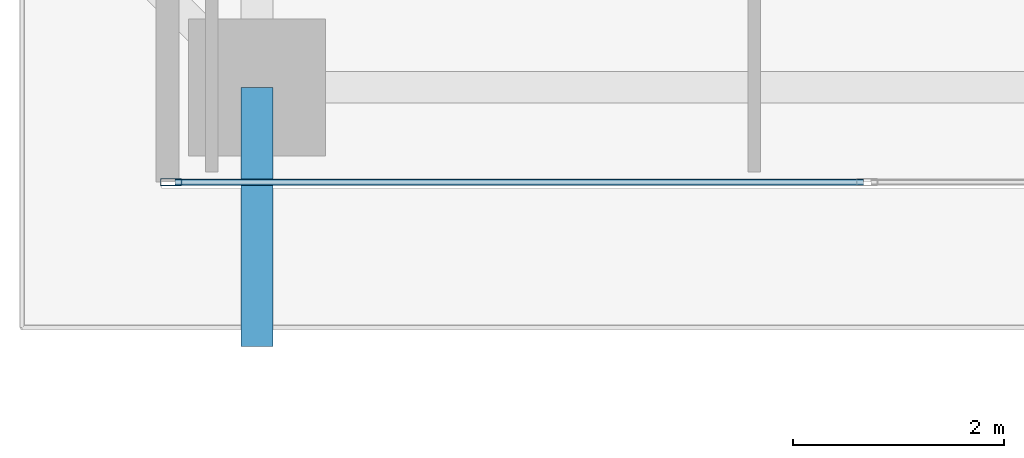
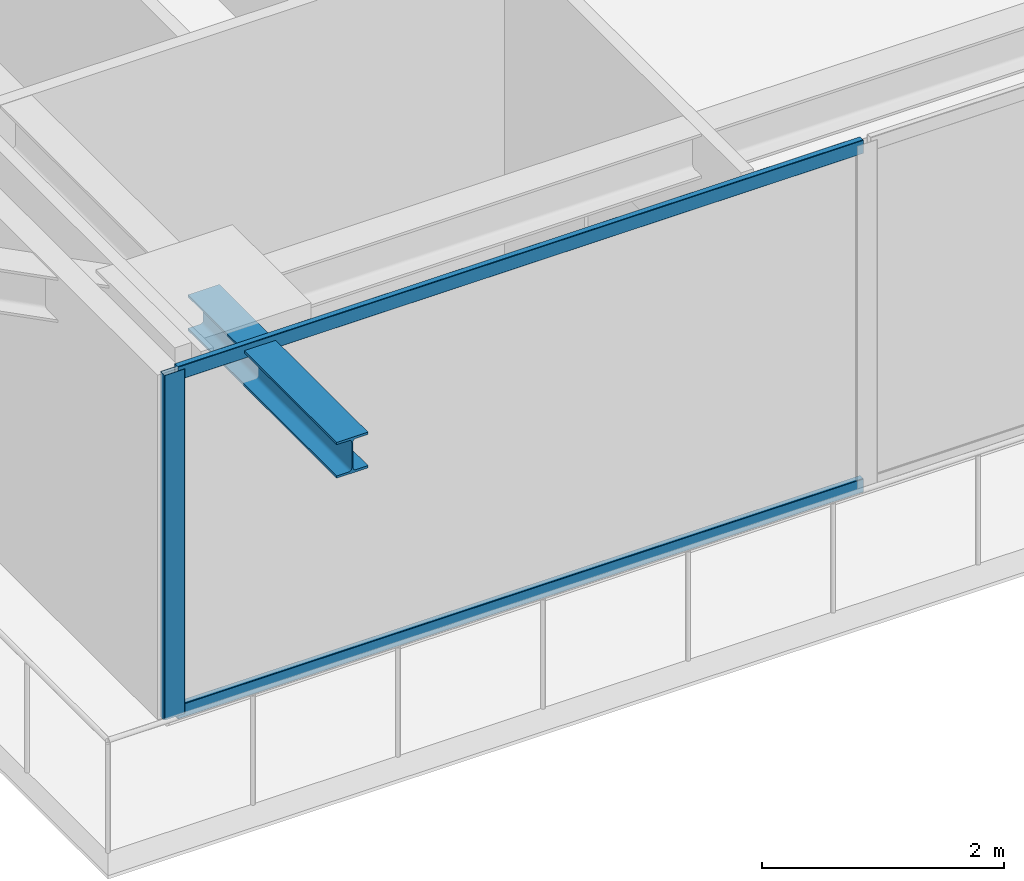
# One storey, part 2 of 39: 3 members, 1 beam, 1 element without a shape of its own.
"""IFC4 building model written with IfcOpenShell, lengths in metres."""

from ifc_helpers import new_model, si_unit, direction, frame, origin, origin_2d, place, context, subcontext, project, spatial, hollow_rectangle, i_section, extrude, source, transform, mapped, material, layer, layer_set, material_profile, profile_set, type_object, element, aggregate, save


model = new_model("IFC4")

# Units and contexts
model_context = context("Model", 3, precision=1e-05, world=origin(), true_north=direction((0.0, 1.0)))
body_context = subcontext(model_context, "Body", "Model", "MODEL_VIEW")
ifc_project = project(units=[si_unit("LENGTHUNIT", "METRE"), si_unit("AREAUNIT", "SQUARE_METRE"), si_unit("VOLUMEUNIT", "CUBIC_METRE"), si_unit("PLANEANGLEUNIT", "RADIAN"), si_unit("MASSUNIT", "GRAM", prefix="KILO")], contexts=[model_context])

# Site, building, storey
site_placement = place(None, origin())
site = spatial("IfcSite", under=ifc_project, at=site_placement, CompositionType="ELEMENT")
building_placement = place(site_placement, origin())
building = spatial("IfcBuilding", under=site, at=building_placement, Name="Serunith Strait Residences", CompositionType="ELEMENT")
storey_placement = place(building_placement, frame((0.0, 0.0, 168.89990234375)))
storey = spatial("IfcBuildingStorey", under=building, at=storey_placement, Name="L42", CompositionType="ELEMENT", Elevation=168.89990234375)

# Beam
ifc_material_1 = material(Name="Steel S355J2", Category="steel")
ifc_material_profile_1 = material_profile(ifc_material_1, i_section(OverallWidth=0.300048828125, OverallDepth=0.360107421875, WebThickness=0.012451171875, FlangeThickness=0.0224609375, FilletRadius=0.027099609375, at=origin_2d()), Name="HEB 360")
ifc_profile_set_1 = profile_set([ifc_material_profile_1], Name="Steel S355J2")
beam_type = type_object("IfcBeamType", Name="BM-HEB360", PredefinedType="BEAM", material=ifc_profile_set_1)
shared_shape_1 = source(origin(), body_context, "Body", "SweptSolid", [
    extrude(i_section(OverallWidth=0.300048828125, OverallDepth=0.360107421875, WebThickness=0.012451171875, FlangeThickness=0.0224609375, FilletRadius=0.027099609375, at=origin_2d()), origin(), (0.0, 0.0, 1.0), 2.45703125),
])
beam_placement = place(storey_placement, frame((16.64990234375, 2.300048828125, 3.277099609375), z_axis=(0.0, -1.0, 0.0), x_axis=(1.0, 0.0, 0.0)))
element("IfcBeam", 1, at=beam_placement, inside=storey, type_object=beam_type, Name="L43 Cantilevered Balcony Rib TC-S1", PredefinedType="BEAM", context=body_context, shape_type="MappedRepresentation", body=[
    mapped(shared_shape_1, transform((0.0, 0.0, 0.0), scale=1.0)),
])

# Curtain wall, members
ifc_material_2 = material(Name="Pale-Champagne Anodised Aluminium", Category="aluminium")
ifc_layer = layer(ifc_material_2, 0.199951171875, Name="Pale-Champagne Anodised Aluminium")
ifc_layer_set = layer_set([ifc_layer], Name="Pale-Champagne Anodised Aluminium")
curtain_wall_type = type_object("IfcCurtainWallType", Name="CW-SYS2", PredefinedType="NOTDEFINED", material=ifc_layer_set)
curtain_wall_placement = place(storey_placement, origin())
curtain_wall = element("IfcCurtainWall", 2, at=curtain_wall_placement, inside=storey, type_object=curtain_wall_type, Name="L42 S Unitised Fritted Curtain Wall", PredefinedType="NOTDEFINED")
ifc_material_profile_2 = material_profile(ifc_material_2, hollow_rectangle(XDim=0.070068359375, YDim=0.199951171875, WallThickness=0.00390625, InnerFilletRadius=0.006103515625, OuterFilletRadius=0.010009765625, at=origin_2d()), Name="ALU 200x70x4")
ifc_profile_set_2 = profile_set([ifc_material_profile_2], Name="Pale-Champagne Anodised Aluminium")
member_type_1 = type_object("IfcMemberType", Name="CW-SYS2-MULL", PredefinedType="MULLION", material=ifc_profile_set_2)
shared_shape_2 = source(origin(), body_context, "Body", "SweptSolid", [
    extrude(hollow_rectangle(XDim=0.070068359375, YDim=0.199951171875, WallThickness=0.00390625, InnerFilletRadius=0.006103515625, OuterFilletRadius=0.010009765625, at=origin_2d()), origin(), (0.0, 0.0, 1.0), 3.47509765625),
])
member_1_placement = place(storey_placement, frame((15.8349609375, 1.39990234375, 0.0), z_axis=(0.0, 0.0, 1.0), x_axis=(0.0, 1.0, 0.0)))
member_1 = element("IfcMember", 3, at=member_1_placement, type_object=member_type_1, Name="CW-2 mullion 1", PredefinedType="MULLION", context=body_context, shape_type="MappedRepresentation", body=[
    mapped(shared_shape_2, transform((0.0, 0.0, 0.0), scale=1.0)),
])
ifc_material_profile_3 = material_profile(ifc_material_2, hollow_rectangle(XDim=0.06005859375, YDim=0.139892578125, WallThickness=0.00341796875, InnerFilletRadius=0.00537109375, OuterFilletRadius=0.0087890625, at=origin_2d()), Name="ALU 140x60x3.5")
ifc_profile_set_3 = profile_set([ifc_material_profile_3], Name="Pale-Champagne Anodised Aluminium")
member_type_2 = type_object("IfcMemberType", Name="CW-SYS2-TRAN", PredefinedType="USERDEFINED", material=ifc_profile_set_3)
shared_shape_3 = source(origin(), body_context, "Body", "SweptSolid", [
    extrude(hollow_rectangle(XDim=0.06005859375, YDim=0.139892578125, WallThickness=0.00341796875, InnerFilletRadius=0.00537109375, OuterFilletRadius=0.0087890625, at=origin_2d()), origin(), (0.0, 0.0, 1.0), 6.534912109375),
])
member_2_placement = place(storey_placement, frame((15.8701171875, 1.39990234375, 0.030029296875), z_axis=(1.0, 0.0, 0.0), x_axis=(0.0, 1.0, 0.0)))
member_2 = element("IfcMember", 4, at=member_2_placement, type_object=member_type_2, Name="CW-2 transom 1.1", ObjectType="TRANSOM", PredefinedType="USERDEFINED", context=body_context, shape_type="MappedRepresentation", body=[
    mapped(shared_shape_3, transform((0.0, 0.0, 0.0), scale=1.0)),
])
member_3_placement = place(storey_placement, frame((15.8701171875, 1.39990234375, 3.445068359375), z_axis=(1.0, 0.0, 0.0), x_axis=(0.0, 1.0, 0.0)))
member_3 = element("IfcMember", 5, at=member_3_placement, type_object=member_type_2, Name="CW-2 transom 1.2", ObjectType="TRANSOM", PredefinedType="USERDEFINED", context=body_context, shape_type="MappedRepresentation", body=[
    mapped(shared_shape_3, transform((0.0, 0.0, 0.0), scale=1.0)),
])
aggregate(curtain_wall, [member_1, member_2, member_3])

save(model, "model.ifc")
